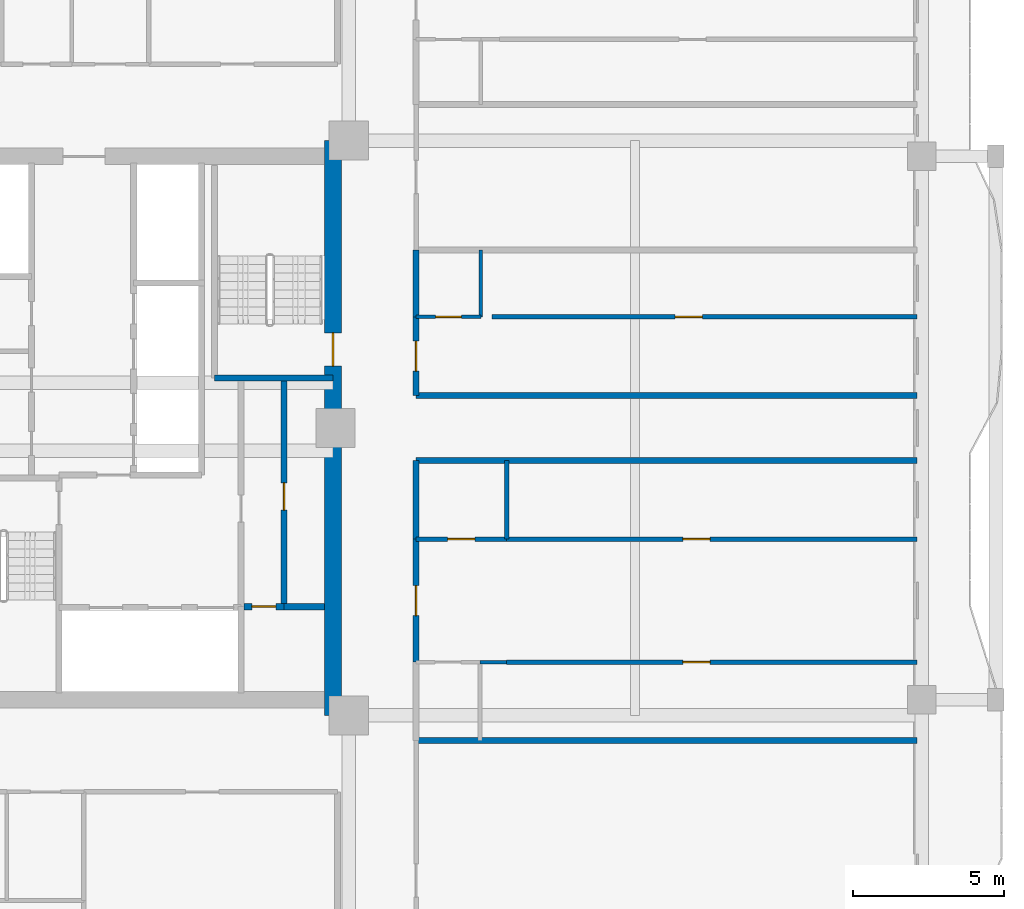
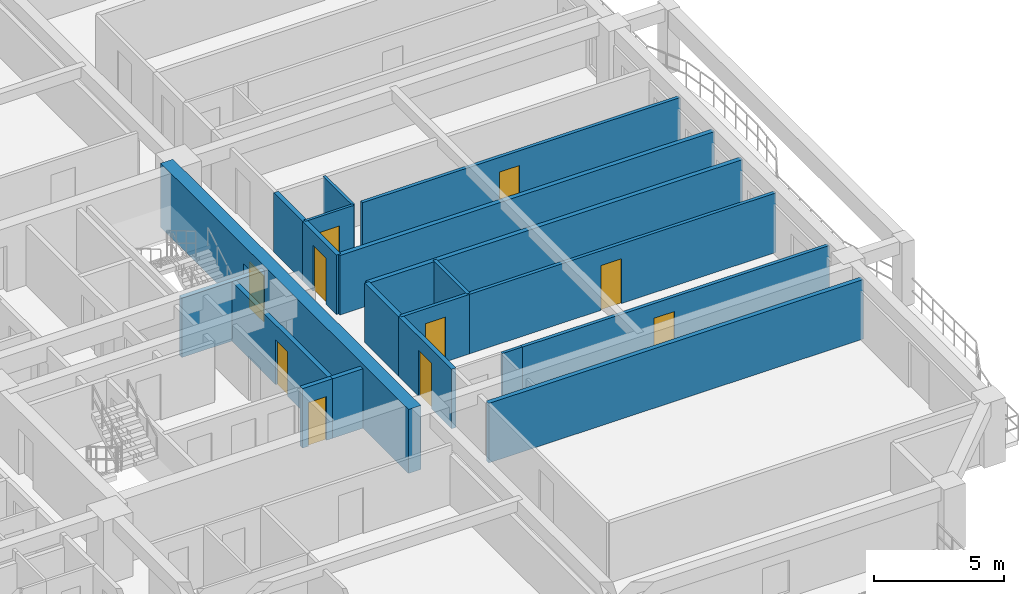
# One storey, part 5 of 13: 20 walls, 10 doors, 10 openings.
"""IFC4 building model written with IfcOpenShell, lengths in metres."""

from ifc_helpers import new_model, si_unit, direction, frame, frame_2d, origin, place, context, subcontext, project, spatial, rectangle, extrude, source, transform, mapped, material, layer, layer_set, type_object, element, fill, save


model = new_model("IFC4")

# Units and contexts
model_context = context("Model", 3, precision=1e-05, world=origin(), true_north=direction((0.0, 1.0)))
body_context = subcontext(model_context, "Body", "Model", "MODEL_VIEW")
ifc_project = project(units=[si_unit("LENGTHUNIT", "METRE"), si_unit("AREAUNIT", "SQUARE_METRE"), si_unit("VOLUMEUNIT", "CUBIC_METRE"), si_unit("PLANEANGLEUNIT", "RADIAN"), si_unit("MASSUNIT", "GRAM", prefix="KILO")], contexts=[model_context])

# Site, building, storey
site_placement = place(None, origin())
site = spatial("IfcSite", under=ifc_project, at=site_placement, CompositionType="ELEMENT")
building_placement = place(site_placement, origin())
building = spatial("IfcBuilding", under=site, at=building_placement, Name="Saelheon Loggia Tower", CompositionType="ELEMENT")
storey_placement = place(building_placement, frame((0.0, 0.0, 132.75)))
storey = spatial("IfcBuildingStorey", under=building, at=storey_placement, Name="L42", CompositionType="ELEMENT", Elevation=132.75)

# Wall, opening, door
ifc_material_1 = material(Name="Concrete C50/60", Category="concrete")
ifc_layer_1 = layer(ifc_material_1, 0.550048828125)
ifc_layer_set_1 = layer_set([ifc_layer_1], Name="Concrete C50/60")
wall_type_1 = type_object("IfcWallType", Name="Wall_CoreShear_550", PredefinedType="SHEAR", material=ifc_layer_set_1)
wall_1_placement = place(storey_placement, frame((44.5, 17.47998046875, 0.0), z_axis=(0.0, 0.0, 1.0), x_axis=(0.0, 1.0, 0.0)))
wall_1 = element("IfcWall", 1, at=wall_1_placement, inside=storey, type_object=wall_type_1, Name="L42 Core Shear Wall East", PredefinedType="SHEAR", context=body_context, shape_type="SweptSolid", body=[
    extrude(rectangle(XDim=19.0400390625, YDim=0.550048828125, at=frame_2d((9.52001953125, 0.0))), origin(), (0.0, 0.0, 1.0), 3.0),
])
opening_1_placement = place(wall_1_placement, frame((12.670166015625, 0.0, 0.0), z_axis=(0.0, 0.0, 1.0), x_axis=(-1.0, 0.0, 0.0)))
opening_1 = element("IfcOpeningElement", 2, at=opening_1_placement, cuts=wall_1, Name="Opening D-FD2", PredefinedType="OPENING", context=body_context, shape_type="SweptSolid", body=[
    extrude(rectangle(XDim=1.10009765625, YDim=2.14990234375, at=frame_2d((0.550048828125, 1.074951171875))), frame((0.0, 0.287109375, 0.0), z_axis=(0.0, -1.0, 0.0), x_axis=(1.0, 0.0, 0.0)), (0.0, 0.0, 1.0), 0.573974609375),
])
ifc_material_2 = material(Name="Galvanised Steel Fire Door", Category="steel")
door_type_1 = type_object("IfcDoorType", Name="Door_Fire_FD60_1100", OperationType="NOTDEFINED", PredefinedType="DOOR", material=ifc_material_2)
shared_shape_1 = source(origin(), body_context, "Body", "SweptSolid", [
    extrude(rectangle(XDim=1.10009765625, YDim=2.14990234375, at=frame_2d((0.550048828125, 1.074951171875))), frame((0.0, 0.02490234375, 0.0), z_axis=(0.0, -1.0, 0.0), x_axis=(1.0, 0.0, 0.0)), (0.0, 0.0, 1.0), 0.050048828125),
])
door_1_placement = place(opening_1_placement, origin())
door_1 = element("IfcDoor", 3, at=door_1_placement, inside=storey, type_object=door_type_1, Name="L42 Stair ST2 Corridor Door", OperationType="SINGLE_SWING_RIGHT", OverallHeight=2.14990234375, OverallWidth=1.10009765625, PredefinedType="DOOR", context=body_context, shape_type="MappedRepresentation", body=[
    mapped(shared_shape_1, transform((0.0, 0.0, 0.0), scale=1.0)),
])
fill(opening_1, door_1)

# Wall
ifc_material_3 = material(Name="Lightweight Autoclaved Aerated Concrete Block and Acoustic Gypsum", Category="concrete")
ifc_layer_2 = layer(ifc_material_3, 0.14990234375)
ifc_layer_set_2 = layer_set([ifc_layer_2], Name="Lightweight Autoclaved Aerated Concrete Block and Acoustic Gypsum")
wall_type_2 = type_object("IfcWallType", Name="Wall_Part_150", PredefinedType="PARTITIONING", material=ifc_layer_set_2)
wall_2_placement = place(storey_placement, frame((50.25, 23.320068359375, 0.0), z_axis=(0.0, 0.0, 1.0), x_axis=(0.0, 1.0, 0.0)))
element("IfcWall", 4, at=wall_2_placement, inside=storey, type_object=wall_type_2, Name="L42 ES Partition V09", PredefinedType="PARTITIONING", context=body_context, shape_type="SweptSolid", body=[
    extrude(rectangle(XDim=2.599853515625, YDim=0.14990234375, at=frame_2d((1.2998046875, 0.0))), origin(), (0.0, 0.0, 1.0), 2.7900390625),
])

# Wall, opening, door
wall_3_placement = place(storey_placement, frame((50.25, 19.24560546875, 0.0), z_axis=(0.0, 0.0, 1.0), x_axis=(1.0, 0.0, 0.0)))
wall_3 = element("IfcWall", 5, at=wall_3_placement, inside=storey, type_object=wall_type_2, Name="L42 ES Partition U12", PredefinedType="PARTITIONING", context=body_context, shape_type="SweptSolid", body=[
    extrude(rectangle(XDim=13.60009765625, YDim=0.14990234375, at=frame_2d((6.800048828125, 0.0))), origin(), (0.0, 0.0, 1.0), 2.7900390625),
])
opening_2_placement = place(wall_3_placement, frame((5.8408203125, 0.0, 0.0)))
opening_2 = element("IfcOpeningElement", 6, at=opening_2_placement, cuts=wall_3, Name="Opening D-IN2", PredefinedType="OPENING", context=body_context, shape_type="SweptSolid", body=[
    extrude(rectangle(XDim=0.89990234375, YDim=2.10009765625, at=frame_2d((0.449951171875, 1.050048828125))), frame((0.0, 0.0869140625, 0.0), z_axis=(0.0, -1.0, 0.0), x_axis=(1.0, 0.0, 0.0)), (0.0, 0.0, 1.0), 0.173828125),
])
ifc_material_4 = material(Name="Engineered Oak Flush Door", Category="timber")
door_type_2 = type_object("IfcDoorType", Name="Door_Int_900", OperationType="NOTDEFINED", PredefinedType="DOOR", material=ifc_material_4)
shared_shape_2 = source(origin(), body_context, "Body", "SweptSolid", [
    extrude(rectangle(XDim=0.89990234375, YDim=2.10009765625, at=frame_2d((0.449951171875, 1.050048828125))), frame((0.0, 0.02490234375, 0.0), z_axis=(0.0, -1.0, 0.0), x_axis=(1.0, 0.0, 0.0)), (0.0, 0.0, 1.0), 0.050048828125),
])
door_2_placement = place(opening_2_placement, origin())
door_2 = element("IfcDoor", 7, at=door_2_placement, inside=storey, type_object=door_type_2, Name="Unit U07 Kitchen Door", OperationType="SINGLE_SWING_RIGHT", OverallHeight=2.10009765625, OverallWidth=0.89990234375, PredefinedType="DOOR", context=body_context, shape_type="MappedRepresentation", body=[
    mapped(shared_shape_2, transform((0.0, 0.0, 0.0), scale=1.0)),
])
fill(opening_2, door_2)

wall_4_placement = place(storey_placement, frame((47.25, 23.320068359375, 0.0), z_axis=(0.0, 0.0, 1.0), x_axis=(1.0, 0.0, 0.0)))
wall_4 = element("IfcWall", 8, at=wall_4_placement, inside=storey, type_object=wall_type_2, Name="L42 ES Partition U13", PredefinedType="PARTITIONING", context=body_context, shape_type="SweptSolid", body=[
    extrude(rectangle(XDim=3.0, YDim=0.14990234375, at=frame_2d((1.5, 0.0))), origin(), (0.0, 0.0, 1.0), 2.7900390625),
])
opening_3_placement = place(wall_4_placement, frame((1.050048828125, 0.0, 0.0)))
opening_3 = element("IfcOpeningElement", 9, at=opening_3_placement, cuts=wall_4, Name="Opening D-IN2", PredefinedType="OPENING", context=body_context, shape_type="SweptSolid", body=[
    extrude(rectangle(XDim=0.89990234375, YDim=2.10009765625, at=frame_2d((0.449951171875, 1.050048828125))), frame((0.0, 0.0869140625, 0.0), z_axis=(0.0, -1.0, 0.0), x_axis=(1.0, 0.0, 0.0)), (0.0, 0.0, 1.0), 0.173828125),
])
door_3_placement = place(opening_3_placement, origin())
door_3 = element("IfcDoor", 10, at=door_3_placement, inside=storey, type_object=door_type_2, Name="Unit U07 Dressing Closet Door", OperationType="SINGLE_SWING_LEFT", OverallHeight=2.10009765625, OverallWidth=0.89990234375, PredefinedType="DOOR", context=body_context, shape_type="MappedRepresentation", body=[
    mapped(shared_shape_2, transform((0.0, 0.0, 0.0), scale=1.0)),
])
fill(opening_3, door_3)

wall_5_placement = place(storey_placement, frame((50.25, 23.320068359375, 0.0), z_axis=(0.0, 0.0, 1.0), x_axis=(1.0, 0.0, 0.0)))
wall_5 = element("IfcWall", 11, at=wall_5_placement, inside=storey, type_object=wall_type_2, Name="L42 ES Partition U14", PredefinedType="PARTITIONING", context=body_context, shape_type="SweptSolid", body=[
    extrude(rectangle(XDim=13.60009765625, YDim=0.14990234375, at=frame_2d((6.800048828125, 0.0))), origin(), (0.0, 0.0, 1.0), 2.7900390625),
])
opening_4_placement = place(wall_5_placement, frame((5.8408203125, 0.0, 0.0)))
opening_4 = element("IfcOpeningElement", 12, at=opening_4_placement, cuts=wall_5, Name="Opening D-IN2", PredefinedType="OPENING", context=body_context, shape_type="SweptSolid", body=[
    extrude(rectangle(XDim=0.89990234375, YDim=2.10009765625, at=frame_2d((0.449951171875, 1.050048828125))), frame((0.0, 0.0869140625, 0.0), z_axis=(0.0, -1.0, 0.0), x_axis=(1.0, 0.0, 0.0)), (0.0, 0.0, 1.0), 0.173828125),
])
door_4_placement = place(opening_4_placement, origin())
door_4 = element("IfcDoor", 13, at=door_4_placement, inside=storey, type_object=door_type_2, Name="Unit U07 Bedroom 1 Door", OperationType="SINGLE_SWING_RIGHT", OverallHeight=2.10009765625, OverallWidth=0.89990234375, PredefinedType="DOOR", context=body_context, shape_type="MappedRepresentation", body=[
    mapped(shared_shape_2, transform((0.0, 0.0, 0.0), scale=1.0)),
])
fill(opening_4, door_4)

wall_6_placement = place(storey_placement, frame((49.77001953125, 30.68310546875, 0.0), z_axis=(0.0, 0.0, 1.0), x_axis=(1.0, 0.0, 0.0)))
wall_6 = element("IfcWall", 14, at=wall_6_placement, inside=storey, type_object=wall_type_2, Name="L42 EN Partition U07", PredefinedType="PARTITIONING", context=body_context, shape_type="SweptSolid", body=[
    extrude(rectangle(XDim=14.080078125, YDim=0.14990234375, at=frame_2d((7.0400390625, 0.0))), origin(), (0.0, 0.0, 1.0), 2.7900390625),
])
opening_5_placement = place(wall_6_placement, frame((6.060791015625, 0.0, 0.0)))
opening_5 = element("IfcOpeningElement", 15, at=opening_5_placement, cuts=wall_6, Name="Opening D-IN2", PredefinedType="OPENING", context=body_context, shape_type="SweptSolid", body=[
    extrude(rectangle(XDim=0.89990234375, YDim=2.10009765625, at=frame_2d((0.449951171875, 1.050048828125))), frame((0.0, 0.0869140625, 0.0), z_axis=(0.0, -1.0, 0.0), x_axis=(1.0, 0.0, 0.0)), (0.0, 0.0, 1.0), 0.173828125),
])
door_5_placement = place(opening_5_placement, origin())
door_5 = element("IfcDoor", 16, at=door_5_placement, inside=storey, type_object=door_type_2, Name="Unit U08 Kitchen Door", OperationType="SINGLE_SWING_LEFT", OverallHeight=2.10009765625, OverallWidth=0.89990234375, PredefinedType="DOOR", context=body_context, shape_type="MappedRepresentation", body=[
    mapped(shared_shape_2, transform((0.0, 0.0, 0.0), scale=1.0)),
])
fill(opening_5, door_5)

# Walls
ifc_material_5 = material(Name="Double Acoustic Stud and Fireboard Partition", Category="gypsum")
ifc_layer_3 = layer(ifc_material_5, 0.199951171875)
ifc_layer_set_3 = layer_set([ifc_layer_3], Name="Double Acoustic Stud and Fireboard Partition")
wall_type_3 = type_object("IfcWallType", Name="Wall_Party_200", PredefinedType="PARTITIONING", material=ifc_layer_set_3)
for number, where, z_axis, x_axis, name in (
    (17, (47.25, 25.919921875, 0.0), (0.0, 0.0, 1.0), (1.0, 0.0, 0.0), "L42 ES Partition U02"),
    (18, (47.25, 16.64990234375, 0.0), (0.0, 0.0, 1.0), (1.0, 0.0, 0.0), "L42 ES Partition U04"),
):
    element("IfcWall", number, at=place(storey_placement, frame(where, z_axis=z_axis, x_axis=x_axis)), inside=storey, type_object=wall_type_3, Name=name, PredefinedType="PARTITIONING", context=body_context, shape_type="SweptSolid", body=[
        extrude(rectangle(XDim=16.60009765625, YDim=0.199951171875, at=frame_2d((8.300048828125, 0.0))), origin(), (0.0, 0.0, 1.0), 2.7900390625),
    ])

# Wall, opening, door
wall_7_placement = place(storey_placement, frame((47.25, 19.24560546875, 0.0), z_axis=(0.0, 0.0, 1.0), x_axis=(0.0, 1.0, 0.0)))
wall_7 = element("IfcWall", 19, at=wall_7_placement, inside=storey, type_object=wall_type_3, Name="L42 ES Partition V06", PredefinedType="PARTITIONING", context=body_context, shape_type="SweptSolid", body=[
    extrude(rectangle(XDim=4.074462890625, YDim=0.199951171875, at=frame_2d((2.037109375, 0.0))), origin(), (0.0, 0.0, 1.0), 2.7900390625),
])
opening_6_placement = place(wall_7_placement, frame((1.537109375, 0.0, 0.0)))
opening_6 = element("IfcOpeningElement", 20, at=opening_6_placement, cuts=wall_7, Name="Opening D-FD1", PredefinedType="OPENING", context=body_context, shape_type="SweptSolid", body=[
    extrude(rectangle(XDim=1.0, YDim=2.14990234375, at=frame_2d((0.5, 1.074951171875))), frame((0.0, 0.112060546875, 0.0), z_axis=(0.0, -1.0, 0.0), x_axis=(1.0, 0.0, 0.0)), (0.0, 0.0, 1.0), 0.223876953125),
])
ifc_material_6 = material(Name="Fire-Rated Engineered Timber Entrance Door", Category="wood")
door_type_3 = type_object("IfcDoorType", Name="Door_Flat_FD30S", OperationType="NOTDEFINED", PredefinedType="DOOR", material=ifc_material_6)
shared_shape_3 = source(origin(), body_context, "Body", "SweptSolid", [
    extrude(rectangle(XDim=1.0, YDim=2.14990234375, at=frame_2d((0.5, 1.074951171875))), frame((0.0, 0.02490234375, 0.0), z_axis=(0.0, -1.0, 0.0), x_axis=(1.0, 0.0, 0.0)), (0.0, 0.0, 1.0), 0.050048828125),
])
door_6_placement = place(opening_6_placement, origin())
door_6 = element("IfcDoor", 21, at=door_6_placement, inside=storey, type_object=door_type_3, Name="Unit U07 Entrance Door", OperationType="SINGLE_SWING_RIGHT", OverallHeight=2.14990234375, OverallWidth=1.0, PredefinedType="DOOR", context=body_context, shape_type="MappedRepresentation", body=[
    mapped(shared_shape_3, transform((0.0, 0.0, 0.0), scale=1.0)),
])
fill(opening_6, door_6)

# Walls
wall_8_placement = place(storey_placement, frame((47.25, 23.320068359375, 0.0), z_axis=(0.0, 0.0, 1.0), x_axis=(0.0, 1.0, 0.0)))
element("IfcWall", 22, at=wall_8_placement, inside=storey, type_object=wall_type_3, Name="L42 ES Partition V07", PredefinedType="PARTITIONING", context=body_context, shape_type="SweptSolid", body=[
    extrude(rectangle(XDim=2.599853515625, YDim=0.199951171875, at=frame_2d((1.2998046875, 0.0))), origin(), (0.0, 0.0, 1.0), 2.7900390625),
])
wall_9_placement = place(storey_placement, frame((47.25, 28.080078125, 0.0), z_axis=(0.0, 0.0, 1.0), x_axis=(1.0, 0.0, 0.0)))
element("IfcWall", 23, at=wall_9_placement, inside=storey, type_object=wall_type_3, Name="L42 EN Partition U01", PredefinedType="PARTITIONING", context=body_context, shape_type="SweptSolid", body=[
    extrude(rectangle(XDim=16.60009765625, YDim=0.199951171875, at=frame_2d((8.300048828125, 0.0))), origin(), (0.0, 0.0, 1.0), 2.7900390625),
])

# Wall, opening, door
wall_10_placement = place(storey_placement, frame((47.25, 28.080078125, 0.0), z_axis=(0.0, 0.0, 1.0), x_axis=(0.0, 1.0, 0.0)))
wall_10 = element("IfcWall", 24, at=wall_10_placement, inside=storey, type_object=wall_type_3, Name="L42 EN Partition V03", PredefinedType="PARTITIONING", context=body_context, shape_type="SweptSolid", body=[
    extrude(rectangle(XDim=2.60302734375, YDim=0.199951171875, at=frame_2d((1.301513671875, 0.0))), origin(), (0.0, 0.0, 1.0), 2.7900390625),
])
opening_7_placement = place(wall_10_placement, frame((0.801513671875, 0.0, 0.0)))
opening_7 = element("IfcOpeningElement", 25, at=opening_7_placement, cuts=wall_10, Name="Opening D-FD1", PredefinedType="OPENING", context=body_context, shape_type="SweptSolid", body=[
    extrude(rectangle(XDim=1.0, YDim=2.14990234375, at=frame_2d((0.5, 1.074951171875))), frame((0.0, 0.112060546875, 0.0), z_axis=(0.0, -1.0, 0.0), x_axis=(1.0, 0.0, 0.0)), (0.0, 0.0, 1.0), 0.223876953125),
])
door_7_placement = place(opening_7_placement, origin())
door_7 = element("IfcDoor", 26, at=door_7_placement, inside=storey, type_object=door_type_3, Name="Unit U08 Entrance Door", OperationType="SINGLE_SWING_LEFT", OverallHeight=2.14990234375, OverallWidth=1.0, PredefinedType="DOOR", context=body_context, shape_type="MappedRepresentation", body=[
    mapped(shared_shape_3, transform((0.0, 0.0, 0.0), scale=1.0)),
])
fill(opening_7, door_7)

# Wall
wall_11_placement = place(storey_placement, frame((47.25, 30.68310546875, 0.0), z_axis=(0.0, 0.0, 1.0), x_axis=(0.0, 1.0, 0.0)))
element("IfcWall", 27, at=wall_11_placement, inside=storey, type_object=wall_type_3, Name="L42 EN Partition V04", PredefinedType="PARTITIONING", context=body_context, shape_type="SweptSolid", body=[
    extrude(rectangle(XDim=2.21728515625, YDim=0.199951171875, at=frame_2d((1.108642578125, 0.0))), origin(), (0.0, 0.0, 1.0), 2.7900390625),
])

# Wall, opening, door
ifc_material_7 = material(Name="Concrete C40/50", Category="concrete")
ifc_layer_4 = layer(ifc_material_7, 0.199951171875)
ifc_layer_set_4 = layer_set([ifc_layer_4], Name="Concrete C40/50")
wall_type_4 = type_object("IfcWallType", Name="Wall_Shaft_200", PredefinedType="PARTITIONING", material=ifc_layer_set_4)
wall_12_placement = place(storey_placement, frame((41.550048828125, 21.080078125, 0.0), z_axis=(0.0, 0.0, 1.0), x_axis=(1.0, 0.0, 0.0)))
wall_12 = element("IfcWall", 28, at=wall_12_placement, inside=storey, type_object=wall_type_4, Name="CW-BOH-L42-HS", PredefinedType="PARTITIONING", context=body_context, shape_type="SweptSolid", body=[
    extrude(rectangle(XDim=1.329833984375, YDim=0.199951171875, at=frame_2d((0.6650390625, 0.0))), origin(), (0.0, 0.0, 1.0), 2.7900390625),
])
opening_8_placement = place(wall_12_placement, frame((0.260009765625, 0.0, 0.0)))
opening_8 = element("IfcOpeningElement", 29, at=opening_8_placement, cuts=wall_12, Name="Opening D-ST1", PredefinedType="OPENING", context=body_context, shape_type="SweptSolid", body=[
    extrude(rectangle(XDim=0.800048828125, YDim=2.050048828125, at=frame_2d((0.39990234375, 1.02490234375))), frame((0.0, 0.112060546875, 0.0), z_axis=(0.0, -1.0, 0.0), x_axis=(1.0, 0.0, 0.0)), (0.0, 0.0, 1.0), 0.223876953125),
])
ifc_material_8 = material(Name="Powder-Coated Steel Store Door", Category="steel")
door_type_4 = type_object("IfcDoorType", Name="Door_Store_800", OperationType="NOTDEFINED", PredefinedType="DOOR", material=ifc_material_8)
shared_shape_4 = source(origin(), body_context, "Body", "SweptSolid", [
    extrude(rectangle(XDim=0.800048828125, YDim=2.050048828125, at=frame_2d((0.39990234375, 1.02490234375))), frame((0.0, 0.02490234375, 0.0), z_axis=(0.0, -1.0, 0.0), x_axis=(1.0, 0.0, 0.0)), (0.0, 0.0, 1.0), 0.050048828125),
])
door_8_placement = place(opening_8_placement, origin())
door_8 = element("IfcDoor", 30, at=door_8_placement, inside=storey, type_object=door_type_4, Name="L42 Electrical Riser Door", OperationType="SINGLE_SWING_RIGHT", OverallHeight=2.050048828125, OverallWidth=0.800048828125, PredefinedType="DOOR", context=body_context, shape_type="MappedRepresentation", body=[
    mapped(shared_shape_4, transform((0.0, 0.0, 0.0), scale=1.0)),
])
fill(opening_8, door_8)

# Wall
wall_13_placement = place(storey_placement, frame((42.8798828125, 21.080078125, 0.0), z_axis=(0.0, 0.0, 1.0), x_axis=(1.0, 0.0, 0.0)))
element("IfcWall", 31, at=wall_13_placement, inside=storey, type_object=wall_type_4, Name="CW-BOH-L42-HS2", PredefinedType="PARTITIONING", context=body_context, shape_type="SweptSolid", body=[
    extrude(rectangle(XDim=1.340087890625, YDim=0.199951171875, at=frame_2d((0.669921875, 0.0))), origin(), (0.0, 0.0, 1.0), 2.7900390625),
])

# Wall, opening, door
wall_14_placement = place(storey_placement, frame((42.8798828125, 21.080078125, 0.0), z_axis=(0.0, 0.0, 1.0), x_axis=(0.0, 1.0, 0.0)))
wall_14 = element("IfcWall", 32, at=wall_14_placement, inside=storey, type_object=wall_type_4, Name="CW-BOH-L42-VS", PredefinedType="PARTITIONING", context=body_context, shape_type="SweptSolid", body=[
    extrude(rectangle(XDim=7.469970703125, YDim=0.199951171875, at=frame_2d((3.73486328125, 0.0))), origin(), (0.0, 0.0, 1.0), 2.7900390625),
])
opening_9_placement = place(wall_14_placement, frame((3.199951171875, 0.0, 0.0)))
opening_9 = element("IfcOpeningElement", 33, at=opening_9_placement, cuts=wall_14, Name="Opening D-RS1", PredefinedType="OPENING", context=body_context, shape_type="SweptSolid", body=[
    extrude(rectangle(XDim=0.89990234375, YDim=2.10009765625, at=frame_2d((0.449951171875, 1.050048828125))), frame((0.0, 0.112060546875, 0.0), z_axis=(0.0, -1.0, 0.0), x_axis=(1.0, 0.0, 0.0)), (0.0, 0.0, 1.0), 0.223876953125),
])
ifc_material_9 = material(Name="Galvanised Steel Riser Access Door", Category="steel")
door_type_5 = type_object("IfcDoorType", Name="Door_Riser_FD60", OperationType="NOTDEFINED", PredefinedType="DOOR", material=ifc_material_9)
door_9_placement = place(opening_9_placement, origin())
door_9 = element("IfcDoor", 34, at=door_9_placement, inside=storey, type_object=door_type_5, Name="L42 Linen Store Door", OperationType="SINGLE_SWING_LEFT", OverallHeight=2.10009765625, OverallWidth=0.89990234375, PredefinedType="DOOR", context=body_context, shape_type="MappedRepresentation", body=[
    mapped(shared_shape_2, transform((0.0, 0.0, 0.0), scale=1.0)),
])
fill(opening_9, door_9)

# Walls
ifc_material_10 = material(Name="Concrete C45/55", Category="concrete")
ifc_layer_5 = layer(ifc_material_10, 0.199951171875)
ifc_layer_set_5 = layer_set([ifc_layer_5], Name="Concrete C45/55")
wall_type_5 = type_object("IfcWallType", Name="Wall_StairShaft_RC200", PredefinedType="SOLIDWALL", material=ifc_layer_set_5)
wall_15_placement = place(storey_placement, frame((40.570068359375, 28.64990234375, 0.0), z_axis=(0.0, 0.0, 1.0), x_axis=(1.0, 0.0, 0.0)))
element("IfcWall", 35, at=wall_15_placement, inside=storey, type_object=wall_type_5, Name="L42 Stair ST2 South Wall", PredefinedType="SOLIDWALL", context=body_context, shape_type="SweptSolid", body=[
    extrude(rectangle(XDim=3.929931640625, YDim=0.199951171875, at=frame_2d((1.96484375, 0.0))), origin(), (0.0, 0.0, 1.0), 2.7900390625),
])
ifc_material_11 = material(Name="Moisture-Resistant Cement Board Partition", Category="gypsum")
ifc_layer_6 = layer(ifc_material_11, 0.1201171875)
ifc_layer_set_6 = layer_set([ifc_layer_6], Name="Moisture-Resistant Cement Board Partition")
wall_type_6 = type_object("IfcWallType", Name="Wall_WetPart_120", PredefinedType="PARTITIONING", material=ifc_layer_set_6)
wall_16_placement = place(storey_placement, frame((49.3701171875, 19.24560546875, 0.0), z_axis=(0.0, 0.0, 1.0), x_axis=(1.0, 0.0, 0.0)))
element("IfcWall", 36, at=wall_16_placement, inside=storey, type_object=wall_type_6, Name="L42 ES Partition U11", PredefinedType="PARTITIONING", context=body_context, shape_type="SweptSolid", body=[
    extrude(rectangle(XDim=0.8798828125, YDim=0.1201171875, at=frame_2d((0.43994140625, 0.0))), origin(), (0.0, 0.0, 1.0), 2.7900390625),
])

# Wall, opening, door
wall_17_placement = place(storey_placement, frame((47.25, 30.68310546875, 0.0), z_axis=(0.0, 0.0, 1.0), x_axis=(1.0, 0.0, 0.0)))
wall_17 = element("IfcWall", 37, at=wall_17_placement, inside=storey, type_object=wall_type_6, Name="L42 EN Partition U05", PredefinedType="PARTITIONING", context=body_context, shape_type="SweptSolid", body=[
    extrude(rectangle(XDim=2.14990234375, YDim=0.1201171875, at=frame_2d((1.074951171875, 0.0))), origin(), (0.0, 0.0, 1.0), 2.7900390625),
])
opening_10_placement = place(wall_17_placement, frame((0.64990234375, 0.0, 0.0)))
opening_10 = element("IfcOpeningElement", 38, at=opening_10_placement, cuts=wall_17, Name="Opening D-BT1", PredefinedType="OPENING", context=body_context, shape_type="SweptSolid", body=[
    extrude(rectangle(XDim=0.85009765625, YDim=2.050048828125, at=frame_2d((0.425048828125, 1.02490234375))), frame((0.0, 0.072021484375, 0.0), z_axis=(0.0, -1.0, 0.0), x_axis=(1.0, 0.0, 0.0)), (0.0, 0.0, 1.0), 0.14404296875),
])
ifc_material_12 = material(Name="Moisture-Resistant Laminate Timber Door", Category="wood")
door_type_6 = type_object("IfcDoorType", Name="Door_Bath_850", OperationType="NOTDEFINED", PredefinedType="DOOR", material=ifc_material_12)
shared_shape_5 = source(origin(), body_context, "Body", "SweptSolid", [
    extrude(rectangle(XDim=0.85009765625, YDim=2.050048828125, at=frame_2d((0.425048828125, 1.02490234375))), frame((0.0, 0.02490234375, 0.0), z_axis=(0.0, -1.0, 0.0), x_axis=(1.0, 0.0, 0.0)), (0.0, 0.0, 1.0), 0.050048828125),
])
door_10_placement = place(opening_10_placement, origin())
door_10 = element("IfcDoor", 39, at=door_10_placement, inside=storey, type_object=door_type_6, Name="Unit U08 Bathroom Door", OperationType="SINGLE_SWING_RIGHT", OverallHeight=2.050048828125, OverallWidth=0.85009765625, PredefinedType="DOOR", context=body_context, shape_type="MappedRepresentation", body=[
    mapped(shared_shape_5, transform((0.0, 0.0, 0.0), scale=1.0)),
])
fill(opening_10, door_10)

# Wall
wall_18_placement = place(storey_placement, frame((49.39990234375, 30.68310546875, 0.0), z_axis=(0.0, 0.0, 1.0), x_axis=(0.0, 1.0, 0.0)))
element("IfcWall", 40, at=wall_18_placement, inside=storey, type_object=wall_type_6, Name="L42 EN Partition V06", PredefinedType="PARTITIONING", context=body_context, shape_type="SweptSolid", body=[
    extrude(rectangle(XDim=2.21728515625, YDim=0.1201171875, at=frame_2d((1.108642578125, 0.0))), origin(), (0.0, 0.0, 1.0), 2.7900390625),
])

save(model, "model.ifc")
